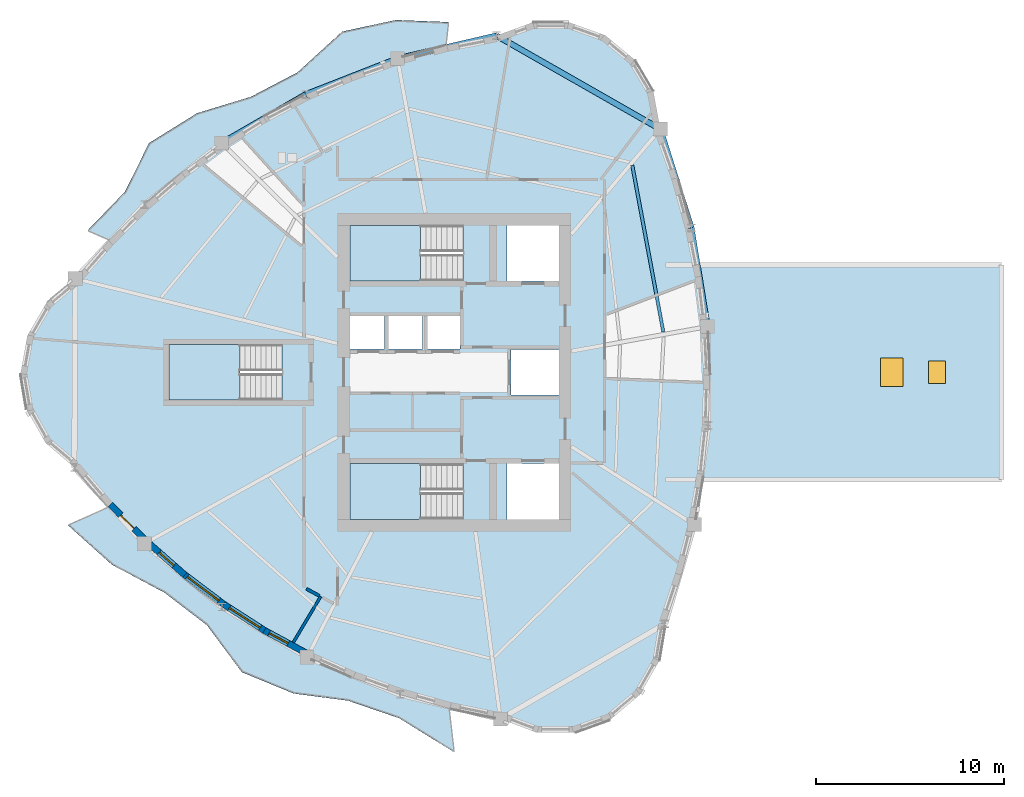
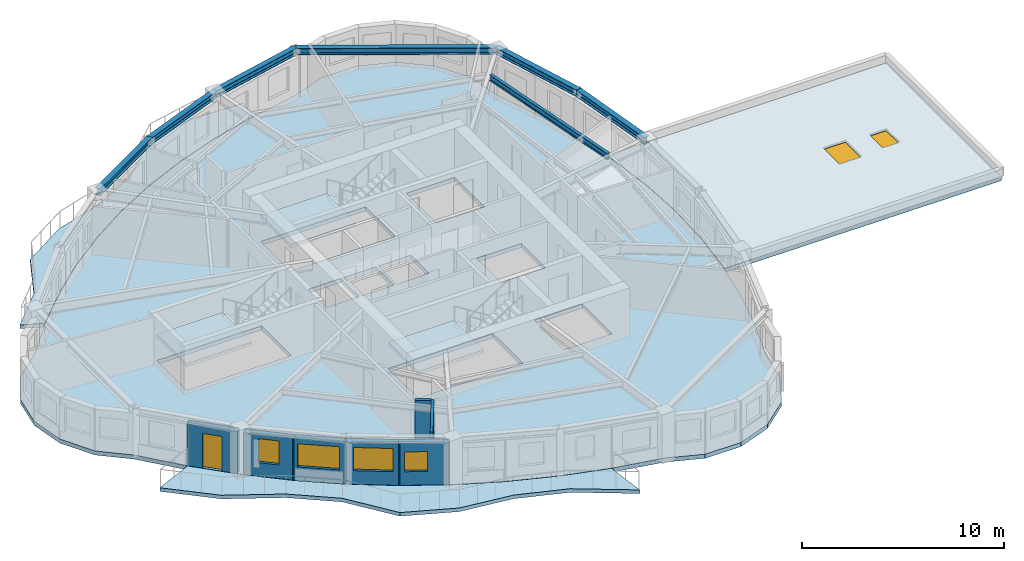
# One storey, part 2 of 11: 7 beams, 7 slabs, 7 walls, 6 windows, 1 door, 7 openings, 3 elements without a shape of their own.
"""IFC4 building model written with IfcOpenShell, lengths in metres."""

from ifc_helpers import new_model, si_unit, direction, frame, frame_2d, origin, origin_2d, place, context, subcontext, project, spatial, polyline, rectangle, i_section, outline, extrude, source, transform, mapped, material, layer, layer_set, material_profile, profile_set, type_object, element, fill, aggregate, save


model = new_model("IFC4")

# Units and contexts
model_context = context("Model", 3, precision=1e-05, world=origin(), true_north=direction((0.0, 1.0)))
body_context = subcontext(model_context, "Body", "Model", "MODEL_VIEW")
ifc_project = project(units=[si_unit("LENGTHUNIT", "METRE"), si_unit("AREAUNIT", "SQUARE_METRE"), si_unit("VOLUMEUNIT", "CUBIC_METRE"), si_unit("PLANEANGLEUNIT", "RADIAN"), si_unit("MASSUNIT", "GRAM", prefix="KILO")], contexts=[model_context])

# Site, building, storey
site_placement = place(None, origin())
site = spatial("IfcSite", under=ifc_project, at=site_placement, CompositionType="ELEMENT")
building_placement = place(site_placement, origin())
building = spatial("IfcBuilding", under=site, at=building_placement, Name="Qafzar Sky-Pleat Residences", CompositionType="ELEMENT")
storey_placement = place(building_placement, frame((0.0, 0.0, 161.800048828125)))
storey = spatial("IfcBuildingStorey", under=building, at=storey_placement, Name="L48", CompositionType="ELEMENT", Elevation=161.800048828125)

# Beams
ifc_material_1 = material(Name="Steel S355", Category="steel")
ifc_material_profile_1 = material_profile(ifc_material_1, i_section(OverallWidth=0.300048828125, OverallDepth=0.39990234375, WebThickness=0.013427734375, FlangeThickness=0.02392578125, FilletRadius=0.027099609375, at=origin_2d()), Name="HEB 400")
ifc_profile_set_1 = profile_set([ifc_material_profile_1], Name="Steel S355")
beam_type_1 = type_object("IfcBeamType", Name="BM-SPAN-HEB400", PredefinedType="SPANDREL", material=ifc_profile_set_1)
shared_shape_1 = source(origin(), body_context, "Body", "SweptSolid", [
    extrude(i_section(OverallWidth=0.300048828125, OverallDepth=0.39990234375, WebThickness=0.013427734375, FlangeThickness=0.02392578125, FilletRadius=0.027099609375, at=origin_2d()), origin(), (0.0, 0.0, 1.0), 10.017578125),
])
beam_1_placement = place(storey_placement, frame((41.28369140625, 38.907470703125, 2.748046875), z_axis=(-0.868435045366, 0.495802956809, 0.0), x_axis=(-0.495802956809, -0.868435045366, 0.0)))
element("IfcBeam", 1, at=beam_1_placement, inside=storey, type_object=beam_type_1, Name="L48 Perimeter Spandrel Beam 13", PredefinedType="SPANDREL", context=body_context, shape_type="MappedRepresentation", body=[
    mapped(shared_shape_1, transform((0.0, 0.0, 0.0), x_axis=(1.0, 0.0, 0.0), y_axis=(0.0, 1.0, 0.0), z_axis=(0.0, 0.0, 1.0), scale=1.0)),
])
shared_shape_2 = source(origin(), body_context, "Body", "SweptSolid", [
    extrude(i_section(OverallWidth=0.300048828125, OverallDepth=0.39990234375, WebThickness=0.013427734375, FlangeThickness=0.02392578125, FilletRadius=0.027099609375, at=origin_2d()), origin(), (0.0, 0.0, 1.0), 5.3115234375),
])
beam_2_placement = place(storey_placement, frame((43.77978515625, 28.428955078125, 2.748046875), z_axis=(-0.159820586454, 0.987146078423, 0.0), x_axis=(-0.987146078423, -0.159820586454, 0.0)))
element("IfcBeam", 2, at=beam_2_placement, inside=storey, type_object=beam_type_1, Name="L48 Perimeter Spandrel Beam 11", PredefinedType="SPANDREL", context=body_context, shape_type="MappedRepresentation", body=[
    mapped(shared_shape_2, transform((0.0, 0.0, 0.0), x_axis=(1.0, 0.0, 0.0), y_axis=(0.0, 1.0, 0.0), z_axis=(0.0, 0.0, 1.0), scale=1.0)),
])
shared_shape_3 = source(origin(), body_context, "Body", "SweptSolid", [
    extrude(i_section(OverallWidth=0.300048828125, OverallDepth=0.39990234375, WebThickness=0.013427734375, FlangeThickness=0.02392578125, FilletRadius=0.027099609375, at=origin_2d()), origin(), (0.0, 0.0, 1.0), 5.48828125),
])
beam_3_placement = place(storey_placement, frame((42.930908203125, 33.672119140625, 2.748046875), z_axis=(-0.300128479556, 0.953898786958, 0.0), x_axis=(-0.953898786958, -0.300128479556, 0.0)))
element("IfcBeam", 3, at=beam_3_placement, inside=storey, type_object=beam_type_1, Name="L48 Perimeter Spandrel Beam 12", PredefinedType="SPANDREL", context=body_context, shape_type="MappedRepresentation", body=[
    mapped(shared_shape_3, transform((0.0, 0.0, 0.0), x_axis=(1.0, 0.0, 0.0), y_axis=(0.0, 1.0, 0.0), z_axis=(0.0, 0.0, 1.0), scale=1.0)),
])
shared_shape_4 = source(origin(), body_context, "Body", "SweptSolid", [
    extrude(i_section(OverallWidth=0.300048828125, OverallDepth=0.39990234375, WebThickness=0.013427734375, FlangeThickness=0.02392578125, FilletRadius=0.027099609375, at=origin_2d()), origin(), (0.0, 0.0, 1.0), 5.39599609375),
])
beam_4_placement = place(storey_placement, frame((32.583984375, 43.874267578125, 2.748046875), z_axis=(-0.974013133864, -0.226491534194, 0.0), x_axis=(0.226491534194, -0.974013133864, 0.0)))
element("IfcBeam", 4, at=beam_4_placement, inside=storey, type_object=beam_type_1, Name="L48 Perimeter Spandrel Beam 14", PredefinedType="SPANDREL", context=body_context, shape_type="MappedRepresentation", body=[
    mapped(shared_shape_4, transform((0.0, 0.0, 0.0), x_axis=(1.0, 0.0, 0.0), y_axis=(0.0, 1.0, 0.0), z_axis=(0.0, 0.0, 1.0), scale=1.0)),
])
shared_shape_5 = source(origin(), body_context, "Body", "SweptSolid", [
    extrude(i_section(OverallWidth=0.300048828125, OverallDepth=0.39990234375, WebThickness=0.013427734375, FlangeThickness=0.02392578125, FilletRadius=0.027099609375, at=origin_2d()), origin(), (0.0, 0.0, 1.0), 5.22216796875),
])
beam_5_placement = place(storey_placement, frame((27.328125, 42.652099609375, 2.748046875), z_axis=(-0.931324838412, -0.364189573376, 0.0), x_axis=(0.364189573376, -0.931324838412, 0.0)))
element("IfcBeam", 5, at=beam_5_placement, inside=storey, type_object=beam_type_1, Name="L48 Perimeter Spandrel Beam 15", PredefinedType="SPANDREL", context=body_context, shape_type="MappedRepresentation", body=[
    mapped(shared_shape_5, transform((0.0, 0.0, 0.0), x_axis=(1.0, 0.0, 0.0), y_axis=(0.0, 1.0, 0.0), z_axis=(0.0, 0.0, 1.0), scale=1.0)),
])
shared_shape_6 = source(origin(), body_context, "Body", "SweptSolid", [
    extrude(i_section(OverallWidth=0.300048828125, OverallDepth=0.39990234375, WebThickness=0.013427734375, FlangeThickness=0.02392578125, FilletRadius=0.027099609375, at=origin_2d()), origin(), (0.0, 0.0, 1.0), 5.162841796875),
])
beam_6_placement = place(storey_placement, frame((22.464599609375, 40.750244140625, 2.748046875), z_axis=(-0.866005243274, -0.500034917402, 0.0), x_axis=(0.500034917402, -0.866005243274, 0.0)))
element("IfcBeam", 6, at=beam_6_placement, inside=storey, type_object=beam_type_1, Name="L48 Perimeter Spandrel Beam 16", PredefinedType="SPANDREL", context=body_context, shape_type="MappedRepresentation", body=[
    mapped(shared_shape_6, transform((0.0, 0.0, 0.0), x_axis=(1.0, 0.0, 0.0), y_axis=(0.0, 1.0, 0.0), z_axis=(0.0, 0.0, 1.0), scale=1.0)),
])
ifc_material_profile_2 = material_profile(ifc_material_1, i_section(OverallWidth=0.169921875, OverallDepth=0.360107421875, WebThickness=0.008056640625, FlangeThickness=0.0126953125, FilletRadius=0.01806640625, at=origin_2d()), Name="IPE 360")
ifc_profile_set_2 = profile_set([ifc_material_profile_2], Name="Steel S355")
beam_type_2 = type_object("IfcBeamType", Name="BM-JST-IPE360", PredefinedType="JOIST", material=ifc_profile_set_2)
shared_shape_7 = source(origin(), body_context, "Body", "SweptSolid", [
    extrude(i_section(OverallWidth=0.169921875, OverallDepth=0.360107421875, WebThickness=0.008056640625, FlangeThickness=0.0126953125, FilletRadius=0.01806640625, at=origin_2d()), origin(), (0.0, 0.0, 1.0), 8.995361328125),
])
beam_7_placement = place(storey_placement, frame((41.44140625, 28.143310546875, 2.76806640625), z_axis=(-0.183170844202, 0.983081096265, 0.0), x_axis=(-0.983081096265, -0.183170844202, 0.0)))
element("IfcBeam", 7, at=beam_7_placement, inside=storey, type_object=beam_type_2, Name="L48 Outer Secondary Floor Joist 6", PredefinedType="JOIST", context=body_context, shape_type="MappedRepresentation", body=[
    mapped(shared_shape_7, transform((0.0, 0.0, 0.0), x_axis=(1.0, 0.0, 0.0), y_axis=(0.0, 1.0, 0.0), z_axis=(0.0, 0.0, 1.0), scale=1.0)),
])

# Slabs
ifc_material_2 = material(Name="Concrete C40/50", Category="concrete")
ifc_layer_1 = layer(ifc_material_2, 0.219970703125)
ifc_layer_set_1 = layer_set([ifc_layer_1], Name="Concrete C40/50")
slab_type_1 = type_object("IfcSlabType", Name="SLAB-BAL-220", PredefinedType="USERDEFINED", material=ifc_layer_set_1)
slab_1_placement = place(storey_placement, frame((0.0, 0.0, -0.219970703125)))
element("IfcSlab", 8, at=slab_1_placement, inside=storey, type_object=slab_type_1, Name="L48 Pleated Stone Balcony 1", ObjectType="BALCONY", PredefinedType="USERDEFINED", context=body_context, shape_type="SweptSolid", body=[
    extrude(outline(polyline([(27.32763671875, 42.6640625), (24.844970703125, 41.7978515625), (22.46044921875, 40.761474609375), (20.174072265625, 39.554931640625), (17.986083984375, 38.177978515625), (15.896240234375, 36.631103515625), (13.90478515625, 34.914306640625), (12.01171875, 33.02734375), (10.87841796875, 33.525390625), (12.8583984375, 35.575927734375), (14.14501953125, 38.16943359375), (16.691650390625, 39.752197265625), (19.55517578125, 40.626953125), (22.025390625, 41.92041015625), (24.388671875, 44.08349609375), (27.24560546875, 44.7001953125), (30.043701171875, 44.590576171875), (29.908203125, 43.35986328125), (27.32763671875, 42.6640625)])), origin(), (0.0, 0.0, 1.0), 0.219970703125),
])
slab_2_placement = place(storey_placement, frame((0.0, 0.0, -0.219970703125)))
element("IfcSlab", 9, at=slab_2_placement, inside=storey, type_object=slab_type_1, Name="L48 Pleated Stone Balcony 2", ObjectType="BALCONY", PredefinedType="USERDEFINED", context=body_context, shape_type="SweptSolid", body=[
    extrude(outline(polyline([(13.88037109375, 16.89892578125), (15.888916015625, 15.13330078125), (17.9990234375, 13.539306640625), (20.2109375, 12.11767578125), (22.5244140625, 10.867919921875), (24.939453125, 9.79052734375), (27.455810546875, 8.885009765625), (30.07373046875, 8.15185546875), (30.3427734375, 5.836669921875), (27.41650390625, 7.647705078125), (24.709716796875, 8.573974609375), (21.8310546875, 8.951416015625), (19.070556640625, 10.0849609375), (17.22412109375, 12.573974609375), (14.96728515625, 14.306396484375), (12.167236328125, 15.794921875), (9.845703125, 17.8857421875), (11.973388671875, 18.8369140625), (13.88037109375, 16.89892578125)])), origin(), (0.0, 0.0, 1.0), 0.219970703125),
])
ifc_layer_2 = layer(ifc_material_2, 0.25)
ifc_layer_set_2 = layer_set([ifc_layer_2], Name="Concrete C40/50")
slab_type_2 = type_object("IfcSlabType", Name="SLAB-FLR-250", PredefinedType="FLOOR", material=ifc_layer_set_2)
slab_3_placement = place(storey_placement, frame((0.0, 0.0, -0.25)))
element("IfcSlab", 10, at=slab_3_placement, inside=storey, type_object=slab_type_2, Name="L48 Structural Floor Slab", PredefinedType="FLOOR", context=body_context, shape_type="SweptSolid", body=[
    extrude(outline(polyline([(10.228515625, 30.96728515625), (8.69140625, 29.6796875), (7.684814453125, 27.945556640625), (7.32861328125, 25.972412109375), (7.66552734375, 23.995849609375), (8.655517578125, 22.252197265625), (10.179931640625, 20.94970703125), (11.984619140625, 18.841796875), (13.890380859375, 16.905517578125), (15.897705078125, 15.14111328125), (18.006591796875, 13.548583984375), (20.216796875, 12.128173828125), (22.528564453125, 10.879150390625), (24.941650390625, 9.80224609375), (27.456298828125, 8.897216796875), (30.072265625, 8.163818359375), (32.789794921875, 7.602294921875), (34.694091796875, 6.8916015625), (36.72705078125, 6.8818359375), (38.63818359375, 7.573974609375), (40.193359375, 8.883056640625), (41.201171875, 10.6484375), (41.5380859375, 12.653076171875), (42.410400390625, 15.287109375), (43.08349609375, 17.91943359375), (43.556884765625, 20.5498046875), (43.830810546875, 23.177978515625), (43.905029296875, 25.804443359375), (43.77978515625, 28.428955078125), (43.455078125, 31.051513671875), (42.930908203125, 33.672119140625), (42.20703125, 36.290771484375), (41.28369140625, 38.907470703125), (40.91796875, 40.87890625), (39.90283203125, 42.60791015625), (38.359619140625, 43.88818359375), (36.47265625, 44.56640625), (34.467529296875, 44.5615234375), (32.583984375, 43.874267578125), (29.906982421875, 43.347900390625), (27.328125, 42.652099609375), (24.847412109375, 41.7861328125), (22.464599609375, 40.750244140625), (20.18017578125, 39.54443359375), (17.99365234375, 38.168701171875), (15.9052734375, 36.623291015625), (13.914794921875, 34.90771484375), (12.022705078125, 33.0224609375), (10.228515625, 30.96728515625)]), holes=[polyline([(30.797119140625, 21.14990234375), (24.800048828125, 21.14990234375), (24.800048828125, 18.199951171875), (30.797119140625, 18.199951171875), (30.797119140625, 21.14990234375)]), polyline([(30.797119140625, 33.800048828125), (24.800048828125, 33.800048828125), (24.800048828125, 30.85009765625), (30.797119140625, 30.85009765625), (30.797119140625, 33.800048828125)]), polyline([(21.197021484375, 27.47509765625), (15.199951171875, 27.47509765625), (15.199951171875, 24.52490234375), (21.197021484375, 24.52490234375), (21.197021484375, 27.47509765625)]), polyline([(24.800048828125, 27.25), (26.64990234375, 27.25), (26.64990234375, 29.050048828125), (24.800048828125, 29.050048828125), (24.800048828125, 27.25)]), polyline([(26.800048828125, 27.25), (28.64990234375, 27.25), (28.64990234375, 29.050048828125), (26.800048828125, 29.050048828125), (26.800048828125, 27.25)]), polyline([(28.800048828125, 27.25), (30.64990234375, 27.25), (30.64990234375, 29.050048828125), (28.800048828125, 29.050048828125), (28.800048828125, 27.25)]), polyline([(33.14990234375, 18.199951171875), (35.89990234375, 18.199951171875), (35.89990234375, 21.14990234375), (33.14990234375, 21.14990234375), (33.14990234375, 18.199951171875)]), polyline([(33.14990234375, 30.85009765625), (35.89990234375, 30.85009765625), (35.89990234375, 33.800048828125), (33.14990234375, 33.800048828125), (33.14990234375, 30.85009765625)]), polyline([(33.35009765625, 24.800048828125), (35.89990234375, 24.800048828125), (35.89990234375, 27.199951171875), (33.35009765625, 27.199951171875), (33.35009765625, 24.800048828125)])]), origin(), (0.0, 0.0, 1.0), 0.25),
])

# Stair, slab
stair_type = type_object("IfcStairType", Name="STAIR-H320", PredefinedType="HALF_TURN_STAIR", material=ifc_material_2)
stair_1_placement = place(storey_placement, origin())
stair_1 = element("IfcStair", 11, at=stair_1_placement, inside=storey, type_object=stair_type, Name="L48 Protected Exit Stair ST1", PredefinedType="HALF_TURN_STAIR")
ifc_layer_3 = layer(ifc_material_2, 0.199951171875)
ifc_layer_set_3 = layer_set([ifc_layer_3], Name="Concrete C40/50")
slab_type_3 = type_object("IfcSlabType", Name="SLAB-LANDING-200", PredefinedType="LANDING", material=ifc_layer_set_3)
slab_4_placement = place(storey_placement, frame((0.0, 0.0, 1.39990234375)))
slab_4 = element("IfcSlab", 12, at=slab_4_placement, type_object=slab_type_3, Name="ST1 landing 1", PredefinedType="LANDING", context=body_context, shape_type="SweptSolid", body=[
    extrude(outline(polyline([(28.56005859375, 21.14990234375), (24.800048828125, 21.14990234375), (24.800048828125, 18.199951171875), (28.56005859375, 18.199951171875), (28.56005859375, 21.14990234375)])), origin(), (0.0, 0.0, 1.0), 0.199951171875),
])
aggregate(stair_1, [slab_4])

stair_2_placement = place(storey_placement, origin())
stair_2 = element("IfcStair", 13, at=stair_2_placement, inside=storey, type_object=stair_type, Name="L48 Protected Exit Stair ST2", PredefinedType="HALF_TURN_STAIR")
slab_5_placement = place(storey_placement, frame((0.0, 0.0, 1.39990234375)))
slab_5 = element("IfcSlab", 14, at=slab_5_placement, type_object=slab_type_3, Name="ST2 landing 1", PredefinedType="LANDING", context=body_context, shape_type="SweptSolid", body=[
    extrude(outline(polyline([(28.56005859375, 33.800048828125), (24.800048828125, 33.800048828125), (24.800048828125, 30.85009765625), (28.56005859375, 30.85009765625), (28.56005859375, 33.800048828125)])), origin(), (0.0, 0.0, 1.0), 0.199951171875),
])
aggregate(stair_2, [slab_5])

stair_3_placement = place(storey_placement, origin())
stair_3 = element("IfcStair", 15, at=stair_3_placement, inside=storey, type_object=stair_type, Name="L48 Protected Exit Stair ST3", PredefinedType="HALF_TURN_STAIR")
slab_6_placement = place(storey_placement, frame((0.0, 0.0, 1.39990234375)))
slab_6 = element("IfcSlab", 16, at=slab_6_placement, type_object=slab_type_3, Name="ST3 landing 1", PredefinedType="LANDING", context=body_context, shape_type="SweptSolid", body=[
    extrude(outline(polyline([(18.9599609375, 27.47509765625), (15.199951171875, 27.47509765625), (15.199951171875, 24.52490234375), (18.9599609375, 24.52490234375), (18.9599609375, 27.47509765625)])), origin(), (0.0, 0.0, 1.0), 0.199951171875),
])
aggregate(stair_3, [slab_6])

# Slab, openings, windows
ifc_layer_4 = layer(ifc_material_2, 0.235107421875)
ifc_layer_set_4 = layer_set([ifc_layer_4], Name="Concrete C40/50")
slab_type_4 = type_object("IfcSlabType", Name="SLAB-ROOF-235", PredefinedType="ROOF", material=ifc_layer_set_4)
slab_7_placement = place(storey_placement, frame((0.0, 0.0, -0.235107421875)))
slab_7 = element("IfcSlab", 17, at=slab_7_placement, inside=storey, type_object=slab_type_4, Name="L48 SB-4 Weatherproof Roof Deck", PredefinedType="ROOF", context=body_context, shape_type="SweptSolid", body=[
    extrude(outline(polyline([(59.392578125, 31.699951171875), (59.392578125, 20.300048828125), (43.527099609375, 20.300048828125), (43.571533203125, 20.547119140625), (43.57177734375, 20.548095703125), (43.845703125, 23.176513671875), (43.845703125, 23.177490234375), (43.919921875, 25.803955078125), (43.919921875, 25.80517578125), (43.794921875, 28.4296875), (43.794677734375, 28.4306640625), (43.469970703125, 31.05322265625), (43.4697265625, 31.05419921875), (43.340576171875, 31.699951171875), (59.392578125, 31.699951171875)])), origin(), (0.0, 0.0, 1.0), 0.235107421875),
])
opening_1_placement = place(slab_7_placement, frame((53.5712890625, 26.0, -0.010009765625)))
opening_1 = element("IfcOpeningElement", 18, at=opening_1_placement, cuts=slab_7, Name="Opening RH-01", PredefinedType="OPENING", context=body_context, shape_type="SweptSolid", body=[
    extrude(rectangle(XDim=1.199951171875, YDim=1.5, at=origin_2d()), origin(), (0.0, 0.0, 1.0), 0.255126953125),
])
opening_2_placement = place(slab_7_placement, frame((55.97119140625, 26.0, -0.010009765625)))
opening_2 = element("IfcOpeningElement", 19, at=opening_2_placement, cuts=slab_7, Name="Opening RH-02", PredefinedType="OPENING", context=body_context, shape_type="SweptSolid", body=[
    extrude(rectangle(XDim=0.89990234375, YDim=1.199951171875, at=origin_2d()), origin(), (0.0, 0.0, 1.0), 0.255126953125),
])
ifc_material_3 = material(Name="Insulated safety glass roof hatch", Category="glass")
window_type_1 = type_object("IfcWindowType", Name="WIN-SKYLIGHT-1200", PartitioningType="SINGLE_PANEL", PredefinedType="SKYLIGHT", material=ifc_material_3)
window_1_placement = place(slab_7_placement, frame((53.5712890625, 26.0, 0.18505859375)))
window_1 = element("IfcWindow", 20, at=window_1_placement, inside=storey, type_object=window_type_1, Name="L48 SB-4 Roof Maintenance Skylight Hatch", OverallHeight=1.5, OverallWidth=1.199951171875, PartitioningType="SINGLE_PANEL", PredefinedType="SKYLIGHT", context=body_context, shape_type="SweptSolid", body=[
    extrude(rectangle(XDim=1.199951171875, YDim=1.5, at=origin_2d()), origin(), (0.0, 0.0, 1.0), 0.050048828125),
])
fill(opening_1, window_1)
window_type_2 = type_object("IfcWindowType", Name="WIN-SKYLIGHT-900", PartitioningType="SINGLE_PANEL", PredefinedType="SKYLIGHT", material=ifc_material_3)
window_2_placement = place(slab_7_placement, frame((55.97119140625, 26.0, 0.18505859375)))
window_2 = element("IfcWindow", 21, at=window_2_placement, inside=storey, type_object=window_type_2, Name="L48 SB-4 Roof Inspection Skylight Hatch", OverallHeight=1.199951171875, OverallWidth=0.89990234375, PartitioningType="SINGLE_PANEL", PredefinedType="SKYLIGHT", context=body_context, shape_type="SweptSolid", body=[
    extrude(rectangle(XDim=0.89990234375, YDim=1.199951171875, at=origin_2d()), origin(), (0.0, 0.0, 1.0), 0.050048828125),
])
fill(opening_2, window_2)

# Walls
ifc_material_4 = material(Name="Acoustic gypsum plasterboard partition", Category="gypsum")
ifc_layer_5 = layer(ifc_material_4, 0.159912109375)
ifc_layer_set_5 = layer_set([ifc_layer_5], Name="Acoustic gypsum plasterboard partition")
wall_type_1 = type_object("IfcWallType", Name="PART-COR-160", PredefinedType="PARTITIONING", material=ifc_layer_set_5)
wall_1_placement = place(storey_placement, frame((22.4951171875, 14.511474609375, 0.0), z_axis=(0.0, 0.0, 1.0), x_axis=(0.880144682908, -0.474705526773, 0.0)))
element("IfcWall", 22, at=wall_1_placement, inside=storey, type_object=wall_type_1, Name="L48 Partition Wall PART-L48-PW-026", PredefinedType="PARTITIONING", context=body_context, shape_type="SweptSolid", body=[
    extrude(rectangle(XDim=0.79296875, YDim=0.159912109375, at=frame_2d((0.396484375, 0.0))), origin(), (0.0, 0.0, 1.0), 2.949951171875),
])
ifc_layer_6 = layer(ifc_material_4, 0.14501953125)
ifc_layer_set_6 = layer_set([ifc_layer_6], Name="Acoustic gypsum plasterboard partition")
wall_type_2 = type_object("IfcWallType", Name="PART-UNIT-145", PredefinedType="PARTITIONING", material=ifc_layer_set_6)
wall_2_placement = place(storey_placement, frame((21.8037109375, 11.669921875, 0.0), z_axis=(0.0, 0.0, 1.0), x_axis=(0.512135491123, 0.858904673833, 0.0)))
element("IfcWall", 23, at=wall_2_placement, inside=storey, type_object=wall_type_2, Name="L48 Partition Wall PART-L48-PW-020", PredefinedType="PARTITIONING", context=body_context, shape_type="SweptSolid", body=[
    extrude(rectangle(XDim=2.83154296875, YDim=0.14501953125, at=frame_2d((1.415771484375, 0.0))), origin(), (0.0, 0.0, 1.0), 2.949951171875),
])

# Wall, opening, door
ifc_material_5 = material(Name="Precast concrete C40/50 with honed Riyadh limestone", Category="concrete")
ifc_layer_7 = layer(ifc_material_5, 0.340087890625)
ifc_layer_set_7 = layer_set([ifc_layer_7], Name="Precast concrete C40/50 with honed Riyadh limestone")
wall_type_3 = type_object("IfcWallType", Name="WALL-EXT-340", PredefinedType="SOLIDWALL", material=ifc_layer_set_7)
wall_3_placement = place(storey_placement, frame((12.0791015625, 18.988037109375, 0.0), z_axis=(0.0, 0.0, 1.0), x_axis=(0.701497143461, -0.712672265291, 0.0)))
wall_3 = element("IfcWall", 24, at=wall_3_placement, inside=storey, type_object=wall_type_3, Name="L48 Limestone Facade Wall 8", PredefinedType="SOLIDWALL", context=body_context, shape_type="SweptSolid", body=[
    extrude(rectangle(XDim=2.599853515625, YDim=0.340087890625, at=frame_2d((1.2998046875, 0.0))), origin(), (0.0, 0.0, 1.0), 2.530029296875),
])
opening_3_placement = place(wall_3_placement, frame((0.7998046875, 0.0, 0.0)))
opening_3 = element("IfcOpeningElement", 25, at=opening_3_placement, cuts=wall_3, Name="Opening ED-05", PredefinedType="OPENING", context=body_context, shape_type="SweptSolid", body=[
    extrude(rectangle(XDim=1.0, YDim=2.10009765625, at=frame_2d((0.5, 1.050048828125))), frame((0.0, 0.18017578125, 0.0), z_axis=(0.0, -1.0, 0.0), x_axis=(1.0, 0.0, 0.0)), (0.0, 0.0, 1.0), 0.360107421875),
])
ifc_material_6 = material(Name="Glazed bronze aluminium door", Category="aluminium")
door_type = type_object("IfcDoorType", Name="DR-BAL-1000", OperationType="NOTDEFINED", PredefinedType="DOOR", material=ifc_material_6)
shared_shape_8 = source(origin(), body_context, "Body", "SweptSolid", [
    extrude(rectangle(XDim=1.0, YDim=2.10009765625, at=frame_2d((0.5, 1.050048828125))), frame((0.0, 0.02490234375, 0.0), z_axis=(0.0, -1.0, 0.0), x_axis=(1.0, 0.0, 0.0)), (0.0, 0.0, 1.0), 0.050048828125),
])
door_placement = place(opening_3_placement, origin())
door = element("IfcDoor", 26, at=door_placement, inside=storey, type_object=door_type, Name="L48 Glazed Balcony Door 2", OperationType="SINGLE_SWING_LEFT", OverallHeight=2.10009765625, OverallWidth=1.0, PredefinedType="DOOR", context=body_context, shape_type="MappedRepresentation", body=[
    mapped(shared_shape_8, transform((0.0, 0.0, 0.0), x_axis=(1.0, 0.0, 0.0), y_axis=(0.0, 1.0, 0.0), z_axis=(0.0, 0.0, 1.0), scale=1.0)),
])
fill(opening_3, door)

# Wall, opening, window
wall_4_placement = place(storey_placement, frame((14.119140625, 16.930908203125, 0.0), z_axis=(0.0, 0.0, 1.0), x_axis=(0.751118959237, -0.660166879716, 0.0)))
wall_4 = element("IfcWall", 27, at=wall_4_placement, inside=storey, type_object=wall_type_3, Name="L48 Limestone Facade Wall 9", PredefinedType="SOLIDWALL", context=body_context, shape_type="SweptSolid", body=[
    extrude(rectangle(XDim=2.555419921875, YDim=0.340087890625, at=frame_2d((1.27783203125, 0.0))), origin(), (0.0, 0.0, 1.0), 2.530029296875),
])
opening_4_placement = place(wall_4_placement, frame((0.747802734375, 0.0, 0.820068359375)))
opening_4 = element("IfcOpeningElement", 28, at=opening_4_placement, cuts=wall_4, Name="Opening WN-06", PredefinedType="OPENING", context=body_context, shape_type="SweptSolid", body=[
    extrude(rectangle(XDim=1.050048828125, YDim=1.449951171875, at=frame_2d((0.52490234375, 0.72509765625))), frame((0.0, 0.18017578125, 0.0), z_axis=(0.0, -1.0, 0.0), x_axis=(1.0, 0.0, 0.0)), (0.0, 0.0, 1.0), 0.360107421875),
])
ifc_material_7 = material(Name="Solar-control low-E glass in bronze aluminium frame", Category="glass")
window_type_3 = type_object("IfcWindowType", Name="WIN-06", PartitioningType="SINGLE_PANEL", PredefinedType="WINDOW", material=ifc_material_7)
shared_shape_9 = source(origin(), body_context, "Body", "SweptSolid", [
    extrude(rectangle(XDim=1.050048828125, YDim=1.449951171875, at=frame_2d((0.52490234375, 0.72509765625))), frame((0.0, 0.030029296875, 0.0), z_axis=(0.0, -1.0, 0.0), x_axis=(1.0, 0.0, 0.0)), (0.0, 0.0, 1.0), 0.06005859375),
])
window_3_placement = place(opening_4_placement, origin())
window_3 = element("IfcWindow", 29, at=window_3_placement, inside=storey, type_object=window_type_3, Name="L48 Punched Facade Window 09", OverallHeight=1.449951171875, OverallWidth=1.050048828125, PartitioningType="SINGLE_PANEL", PredefinedType="WINDOW", context=body_context, shape_type="MappedRepresentation", body=[
    mapped(shared_shape_9, transform((0.0, 0.0, 0.0), x_axis=(1.0, 0.0, 0.0), y_axis=(0.0, 1.0, 0.0), z_axis=(0.0, 0.0, 1.0), scale=1.0)),
])
fill(opening_4, window_3)

wall_5_placement = place(storey_placement, frame((15.969970703125, 15.2998046875, 0.0), z_axis=(0.0, 0.0, 1.0), x_axis=(0.797969316041, -0.602698075869, 0.0)))
wall_5 = element("IfcWall", 30, at=wall_5_placement, inside=storey, type_object=wall_type_3, Name="L48 Limestone Facade Wall 10", PredefinedType="SOLIDWALL", context=body_context, shape_type="SweptSolid", body=[
    extrude(rectangle(XDim=2.66064453125, YDim=0.340087890625, at=frame_2d((1.330322265625, 0.0))), origin(), (0.0, 0.0, 1.0), 2.530029296875),
])
opening_5_placement = place(wall_5_placement, frame((0.250244140625, 0.0, 0.820068359375)))
opening_5 = element("IfcOpeningElement", 31, at=opening_5_placement, cuts=wall_5, Name="Opening WN-07", PredefinedType="OPENING", context=body_context, shape_type="SweptSolid", body=[
    extrude(rectangle(XDim=2.10009765625, YDim=1.39990234375, at=frame_2d((1.050048828125, 0.699951171875))), frame((0.0, 0.18017578125, 0.0), z_axis=(0.0, -1.0, 0.0), x_axis=(1.0, 0.0, 0.0)), (0.0, 0.0, 1.0), 0.360107421875),
])
window_type_4 = type_object("IfcWindowType", Name="WIN-07", PartitioningType="DOUBLE_PANEL_VERTICAL", PredefinedType="WINDOW", material=ifc_material_7)
shared_shape_10 = source(origin(), body_context, "Body", "SweptSolid", [
    extrude(rectangle(XDim=2.10009765625, YDim=1.39990234375, at=frame_2d((1.050048828125, 0.699951171875))), frame((0.0, 0.030029296875, 0.0), z_axis=(0.0, -1.0, 0.0), x_axis=(1.0, 0.0, 0.0)), (0.0, 0.0, 1.0), 0.06005859375),
])
window_4_placement = place(opening_5_placement, origin())
window_4 = element("IfcWindow", 32, at=window_4_placement, inside=storey, type_object=window_type_4, Name="L48 Punched Facade Window 10", OverallHeight=1.39990234375, OverallWidth=2.10009765625, PartitioningType="SINGLE_PANEL", PredefinedType="WINDOW", context=body_context, shape_type="MappedRepresentation", body=[
    mapped(shared_shape_10, transform((0.0, 0.0, 0.0), x_axis=(1.0, 0.0, 0.0), y_axis=(0.0, 1.0, 0.0), z_axis=(0.0, 0.0, 1.0), scale=1.0)),
])
fill(opening_5, window_4)

wall_6_placement = place(storey_placement, frame((18.115234375, 13.680908203125, 0.0), z_axis=(0.0, 0.0, 1.0), x_axis=(0.841232440507, -0.540673636346, 0.0)))
wall_6 = element("IfcWall", 33, at=wall_6_placement, inside=storey, type_object=wall_type_3, Name="L48 Limestone Facade Wall 11", PredefinedType="SOLIDWALL", context=body_context, shape_type="SweptSolid", body=[
    extrude(rectangle(XDim=2.6455078125, YDim=0.340087890625, at=frame_2d((1.32275390625, 0.0))), origin(), (0.0, 0.0, 1.0), 2.530029296875),
])
opening_6_placement = place(wall_6_placement, frame((0.337646484375, 0.0, 0.820068359375)))
opening_6 = element("IfcOpeningElement", 34, at=opening_6_placement, cuts=wall_6, Name="Opening WN-08", PredefinedType="OPENING", context=body_context, shape_type="SweptSolid", body=[
    extrude(rectangle(XDim=1.949951171875, YDim=1.39990234375, at=frame_2d((0.97509765625, 0.699951171875))), frame((0.0, 0.18017578125, 0.0), z_axis=(0.0, -1.0, 0.0), x_axis=(1.0, 0.0, 0.0)), (0.0, 0.0, 1.0), 0.360107421875),
])
window_type_5 = type_object("IfcWindowType", Name="WIN-08", PartitioningType="DOUBLE_PANEL_VERTICAL", PredefinedType="WINDOW", material=ifc_material_7)
shared_shape_11 = source(origin(), body_context, "Body", "SweptSolid", [
    extrude(rectangle(XDim=1.949951171875, YDim=1.39990234375, at=frame_2d((0.97509765625, 0.699951171875))), frame((0.0, 0.030029296875, 0.0), z_axis=(0.0, -1.0, 0.0), x_axis=(1.0, 0.0, 0.0)), (0.0, 0.0, 1.0), 0.06005859375),
])
window_5_placement = place(opening_6_placement, origin())
window_5 = element("IfcWindow", 35, at=window_5_placement, inside=storey, type_object=window_type_5, Name="L48 Punched Facade Window 11", OverallHeight=1.39990234375, OverallWidth=1.949951171875, PartitioningType="SINGLE_PANEL", PredefinedType="WINDOW", context=body_context, shape_type="MappedRepresentation", body=[
    mapped(shared_shape_11, transform((0.0, 0.0, 0.0), x_axis=(1.0, 0.0, 0.0), y_axis=(0.0, 1.0, 0.0), z_axis=(0.0, 0.0, 1.0), scale=1.0)),
])
fill(opening_6, window_5)

wall_7_placement = place(storey_placement, frame((20.264404296875, 12.295654296875, 0.0), z_axis=(0.0, 0.0, 1.0), x_axis=(0.879776875652, -0.475386841497, 0.0)))
wall_7 = element("IfcWall", 36, at=wall_7_placement, inside=storey, type_object=wall_type_3, Name="L48 Limestone Facade Wall 12", PredefinedType="SOLIDWALL", context=body_context, shape_type="SweptSolid", body=[
    extrude(rectangle(XDim=2.51025390625, YDim=0.340087890625, at=frame_2d((1.255126953125, 0.0))), origin(), (0.0, 0.0, 1.0), 2.530029296875),
])
opening_7_placement = place(wall_7_placement, frame((0.29052734375, 0.0, 0.820068359375)))
opening_7 = element("IfcOpeningElement", 37, at=opening_7_placement, cuts=wall_7, Name="Opening WN-16", PredefinedType="OPENING", context=body_context, shape_type="SweptSolid", body=[
    extrude(rectangle(XDim=1.14990234375, YDim=1.199951171875, at=frame_2d((0.574951171875, 0.60009765625))), frame((0.0, 0.18017578125, 0.0), z_axis=(0.0, -1.0, 0.0), x_axis=(1.0, 0.0, 0.0)), (0.0, 0.0, 1.0), 0.360107421875),
])
window_type_6 = type_object("IfcWindowType", Name="WIN-16", PartitioningType="SINGLE_PANEL", PredefinedType="WINDOW", material=ifc_material_7)
shared_shape_12 = source(origin(), body_context, "Body", "SweptSolid", [
    extrude(rectangle(XDim=1.14990234375, YDim=1.199951171875, at=frame_2d((0.574951171875, 0.60009765625))), frame((0.0, 0.030029296875, 0.0), z_axis=(0.0, -1.0, 0.0), x_axis=(1.0, 0.0, 0.0)), (0.0, 0.0, 1.0), 0.06005859375),
])
window_6_placement = place(opening_7_placement, origin())
window_6 = element("IfcWindow", 38, at=window_6_placement, inside=storey, type_object=window_type_6, Name="L48 Punched Facade Window 12", OverallHeight=1.199951171875, OverallWidth=1.14990234375, PartitioningType="SINGLE_PANEL", PredefinedType="WINDOW", context=body_context, shape_type="MappedRepresentation", body=[
    mapped(shared_shape_12, transform((0.0, 0.0, 0.0), x_axis=(1.0, 0.0, 0.0), y_axis=(0.0, 1.0, 0.0), z_axis=(0.0, 0.0, 1.0), scale=1.0)),
])
fill(opening_7, window_6)

save(model, "model.ifc")
